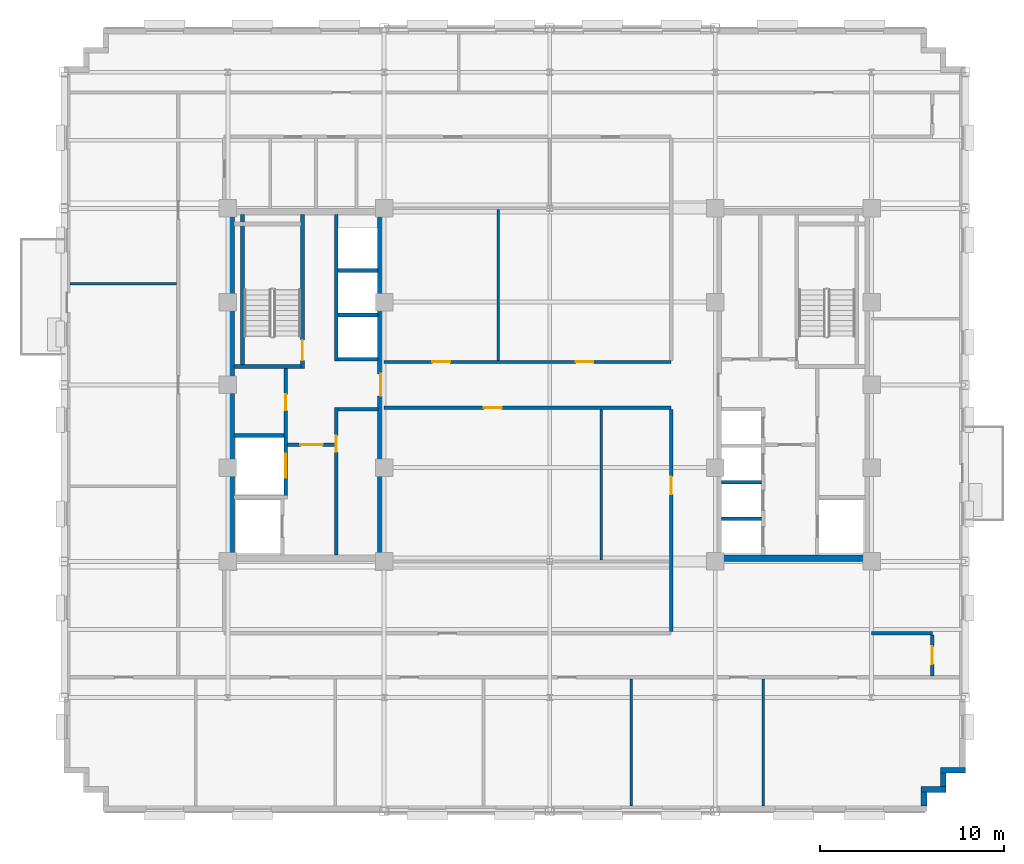
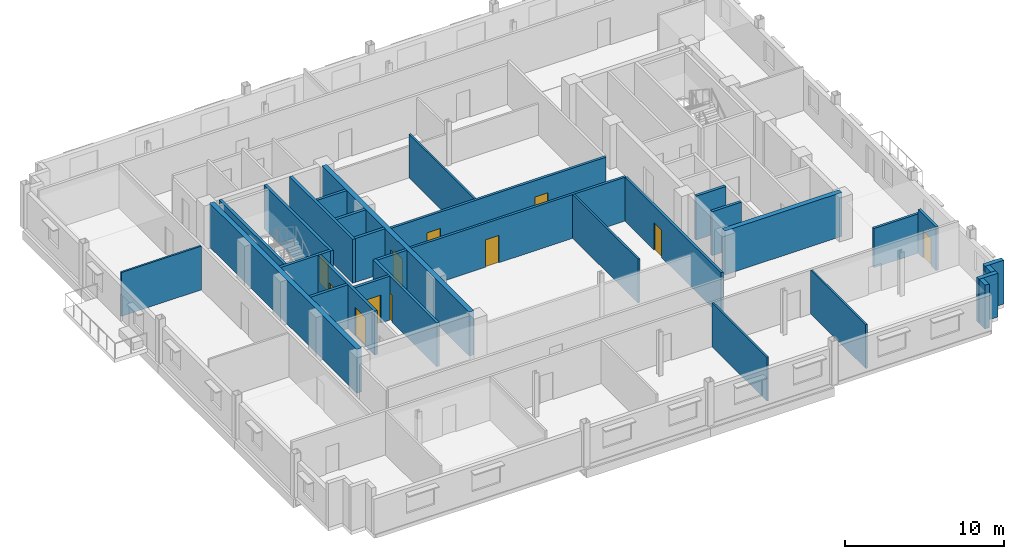
# One storey, part 8 of 15: 31 walls, 11 doors, 11 openings.
"""IFC4 building model written with IfcOpenShell, lengths in metres."""

from ifc_helpers import new_model, si_unit, direction, frame, frame_2d, origin, place, context, subcontext, project, spatial, rectangle, extrude, source, transform, mapped, material, layer, layer_set, type_object, type_shapes, element, fill, save


model = new_model("IFC4")

# Units and contexts
model_context = context("Model", 3, precision=1e-05, world=origin(), true_north=direction((0.0, 1.0)))
body_context = subcontext(model_context, "Body", "Model", "MODEL_VIEW")
ifc_project = project(units=[si_unit("LENGTHUNIT", "METRE"), si_unit("AREAUNIT", "SQUARE_METRE"), si_unit("VOLUMEUNIT", "CUBIC_METRE"), si_unit("PLANEANGLEUNIT", "RADIAN"), si_unit("MASSUNIT", "GRAM", prefix="KILO")], contexts=[model_context])

# Site, building, storey
site_placement = place(None, origin())
site = spatial("IfcSite", under=ifc_project, at=site_placement, CompositionType="ELEMENT")
building_placement = place(site_placement, origin())
building = spatial("IfcBuilding", under=site, at=building_placement, Name="Nuvemarco Arch Tower", CompositionType="ELEMENT")
storey_placement = place(building_placement, frame((0.0, 0.0, 194.550048828125)))
storey = spatial("IfcBuildingStorey", under=building, at=storey_placement, Name="L51", CompositionType="ELEMENT", Elevation=194.550048828125)

# Walls
ifc_material_1 = material(Name="Precast concrete C45/55", Category="concrete")
ifc_layer_1 = layer(ifc_material_1, 0.31005859375, Name="EW-UPP-310")
ifc_layer_set_1 = layer_set([ifc_layer_1], Name="Precast concrete C45/55")
wall_type_1 = type_object("IfcWallType", Name="EW-UPP-310", PredefinedType="STANDARD", material=ifc_layer_set_1)
wall_1_placement = place(storey_placement, frame((20.344970703125, -22.89404296875, 0.0), z_axis=(0.0, 0.0, 1.0), x_axis=(0.0, 1.0, 0.0)))
element("IfcWall", 1, at=wall_1_placement, inside=storey, type_object=wall_type_1, Name="L51 exterior precast facade wall 2", PredefinedType="STANDARD", context=body_context, shape_type="SweptSolid", body=[
    extrude(rectangle(XDim=0.748046875, YDim=0.31005859375, at=frame_2d((0.3740234375, 0.0))), origin(), (0.0, 0.0, 1.0), 3.35986328125),
])
wall_2_placement = place(storey_placement, frame((20.18994140625, -21.9951171875, 0.0), z_axis=(0.0, 0.0, 1.0), x_axis=(1.0, 0.0, 0.0)))
element("IfcWall", 2, at=wall_2_placement, inside=storey, type_object=wall_type_1, Name="L51 exterior precast facade wall 3", PredefinedType="STANDARD", context=body_context, shape_type="SweptSolid", body=[
    extrude(rectangle(XDim=1.360107421875, YDim=0.31005859375, at=frame_2d((0.68017578125, 0.0))), origin(), (0.0, 0.0, 1.0), 3.35986328125),
])
wall_3_placement = place(storey_placement, frame((21.39501953125, -21.843994140625, 0.0), z_axis=(0.0, 0.0, 1.0), x_axis=(0.0, 1.0, 0.0)))
element("IfcWall", 3, at=wall_3_placement, inside=storey, type_object=wall_type_1, Name="L51 exterior precast facade wall 4", PredefinedType="STANDARD", context=body_context, shape_type="SweptSolid", body=[
    extrude(rectangle(XDim=0.748046875, YDim=0.31005859375, at=frame_2d((0.3740234375, 0.0))), origin(), (0.0, 0.0, 1.0), 3.35986328125),
])
wall_4_placement = place(storey_placement, frame((21.239990234375, -20.945068359375, 0.0), z_axis=(0.0, 0.0, 1.0), x_axis=(1.0, 0.0, 0.0)))
element("IfcWall", 4, at=wall_4_placement, inside=storey, type_object=wall_type_1, Name="L51 exterior precast facade wall 5", PredefinedType="STANDARD", context=body_context, shape_type="SweptSolid", body=[
    extrude(rectangle(XDim=1.360107421875, YDim=0.31005859375, at=frame_2d((0.68017578125, 0.0))), origin(), (0.0, 0.0, 1.0), 3.35986328125),
])
ifc_material_2 = material(Name="Concrete C50/60", Category="concrete")
ifc_layer_2 = layer(ifc_material_2, 0.35009765625, Name="WL-CORE-350")
ifc_layer_set_2 = layer_set([ifc_layer_2], Name="Concrete C50/60")
wall_type_2 = type_object("IfcWallType", Name="WL-CORE-350", PredefinedType="SHEAR", material=ifc_layer_set_2)
wall_5_placement = place(storey_placement, frame((-17.324951171875, -9.2548828125, 0.0), z_axis=(0.0, 0.0, 1.0), x_axis=(0.0, 1.0, 0.0)))
element("IfcWall", 5, at=wall_5_placement, inside=storey, type_object=wall_type_2, Name="L51 W-core shear wall W", PredefinedType="SHEAR", context=body_context, shape_type="SweptSolid", body=[
    extrude(rectangle(XDim=18.509765625, YDim=0.35009765625, at=frame_2d((9.2548828125, 0.0))), origin(), (0.0, 0.0, 1.0), 3.369873046875),
])

# Wall, opening, door
wall_6_placement = place(storey_placement, frame((-9.175048828125, -9.2548828125, 0.0), z_axis=(0.0, 0.0, 1.0), x_axis=(0.0, 1.0, 0.0)))
wall_6 = element("IfcWall", 6, at=wall_6_placement, inside=storey, type_object=wall_type_2, Name="L51 W-core shear wall E", PredefinedType="SHEAR", context=body_context, shape_type="SweptSolid", body=[
    extrude(rectangle(XDim=18.509765625, YDim=0.35009765625, at=frame_2d((9.2548828125, 0.0))), origin(), (0.0, 0.0, 1.0), 3.369873046875),
])
opening_1_placement = place(wall_6_placement, frame((8.655029296875, 0.0, 0.0)))
opening_1 = element("IfcOpeningElement", 7, at=opening_1_placement, cuts=wall_6, Name="Opening FD-2", PredefinedType="OPENING", context=body_context, shape_type="SweptSolid", body=[
    extrude(rectangle(XDim=1.199951171875, YDim=2.14990234375, at=frame_2d((0.60009765625, 1.074951171875))), frame((0.0, 0.18505859375, 0.0), z_axis=(0.0, -1.0, 0.0), x_axis=(1.0, 0.0, 0.0)), (0.0, 0.0, 1.0), 0.3701171875),
])
ifc_material_3 = material(Name="Anodised steel fire door", Category="steel")
door_type_1 = type_object("IfcDoorType", Name="DR-FFLOB-FD", OperationType="NOTDEFINED", PredefinedType="DOOR", material=ifc_material_3)
shared_shape_1 = source(origin(), body_context, "Body", "SweptSolid", [
    extrude(rectangle(XDim=1.199951171875, YDim=2.14990234375, at=frame_2d((0.60009765625, 1.074951171875))), frame((0.0, 0.02490234375, 0.0), z_axis=(0.0, -1.0, 0.0), x_axis=(1.0, 0.0, 0.0)), (0.0, 0.0, 1.0), 0.050048828125),
])
type_shapes(door_type_1, [shared_shape_1])
door_1_placement = place(opening_1_placement, origin())
door_1 = element("IfcDoor", 8, at=door_1_placement, inside=storey, type_object=door_type_1, Name="L51 door FD-L51-WCORE-E", OperationType="SINGLE_SWING_LEFT", OverallHeight=2.14990234375, OverallWidth=1.199951171875, PredefinedType="DOOR", context=body_context, shape_type="MappedRepresentation", body=[
    mapped(shared_shape_1, transform((0.0, 0.0, 0.0), scale=1.0)),
])
fill(opening_1, door_1)

# Walls
wall_7_placement = place(storey_placement, frame((9.0, -9.425048828125, 0.0), z_axis=(0.0, 0.0, 1.0), x_axis=(1.0, 0.0, 0.0)))
element("IfcWall", 9, at=wall_7_placement, inside=storey, type_object=wall_type_2, Name="L51 E-core shear wall S", PredefinedType="SHEAR", context=body_context, shape_type="SweptSolid", body=[
    extrude(rectangle(XDim=8.5, YDim=0.35009765625, at=frame_2d((4.25, 0.0))), origin(), (0.0, 0.0, 1.0), 3.369873046875),
])
ifc_material_4 = material(Name="Fire-rated gypsum drywall partition")
ifc_layer_3 = layer(ifc_material_4, 0.179931640625, Name="WL-CORR-180")
ifc_layer_set_3 = layer_set([ifc_layer_3], Name="Fire-rated gypsum drywall partition")
wall_type_3 = type_object("IfcWallType", Name="WL-CORR-180", PredefinedType="PARTITIONING", material=ifc_layer_set_3)
wall_8_placement = place(storey_placement, frame((17.5, -13.5, 0.0), z_axis=(0.0, 0.0, 1.0), x_axis=(1.0, 0.0, 0.0)))
element("IfcWall", 10, at=wall_8_placement, inside=storey, type_object=wall_type_3, Name="L51 interior wall IW-L51-003", PredefinedType="PARTITIONING", context=body_context, shape_type="SweptSolid", body=[
    extrude(rectangle(XDim=3.300048828125, YDim=0.179931640625, at=frame_2d((1.64990234375, 0.0))), origin(), (0.0, 0.0, 1.0), 3.008056640625),
])

# Wall, opening, door
wall_9_placement = place(storey_placement, frame((-9.0, -1.25, 0.0), z_axis=(0.0, 0.0, 1.0), x_axis=(1.0, 0.0, 0.0)))
wall_9 = element("IfcWall", 11, at=wall_9_placement, inside=storey, type_object=wall_type_3, Name="L51 interior wall IW-L51-007", PredefinedType="PARTITIONING", context=body_context, shape_type="SweptSolid", body=[
    extrude(rectangle(XDim=15.60009765625, YDim=0.179931640625, at=frame_2d((7.800048828125, 0.0))), origin(), (0.0, 0.0, 1.0), 3.35986328125),
])
opening_2_placement = place(wall_9_placement, frame((5.419921875, 0.0, 0.0)))
opening_2 = element("IfcOpeningElement", 12, at=opening_2_placement, cuts=wall_9, Name="Opening FD-5", PredefinedType="OPENING", context=body_context, shape_type="SweptSolid", body=[
    extrude(rectangle(XDim=0.9599609375, YDim=2.10009765625, at=frame_2d((0.47998046875, 1.050048828125))), frame((0.0, 0.099853515625, 0.0), z_axis=(0.0, -1.0, 0.0), x_axis=(1.0, 0.0, 0.0)), (0.0, 0.0, 1.0), 0.199951171875),
])
ifc_material_5 = material(Name="Timber fire door", Category="wood")
door_type_2 = type_object("IfcDoorType", Name="DR-CORR-FD", OperationType="NOTDEFINED", PredefinedType="DOOR", material=ifc_material_5)
shared_shape_2 = source(origin(), body_context, "Body", "SweptSolid", [
    extrude(rectangle(XDim=0.9599609375, YDim=2.10009765625, at=frame_2d((0.47998046875, 1.050048828125))), frame((0.0, 0.02490234375, 0.0), z_axis=(0.0, -1.0, 0.0), x_axis=(1.0, 0.0, 0.0)), (0.0, 0.0, 1.0), 0.050048828125),
])
type_shapes(door_type_2, [shared_shape_2])
door_2_placement = place(opening_2_placement, origin())
door_2 = element("IfcDoor", 13, at=door_2_placement, inside=storey, type_object=door_type_2, Name="L51 door DR-L51-C_SW", OperationType="SINGLE_SWING_RIGHT", OverallHeight=2.10009765625, OverallWidth=0.9599609375, PredefinedType="DOOR", context=body_context, shape_type="MappedRepresentation", body=[
    mapped(shared_shape_2, transform((0.0, 0.0, 0.0), scale=1.0)),
])
fill(opening_2, door_2)

# Wall, openings, doors
wall_10_placement = place(storey_placement, frame((-9.0, 1.25, 0.0), z_axis=(0.0, 0.0, 1.0), x_axis=(1.0, 0.0, 0.0)))
wall_10 = element("IfcWall", 14, at=wall_10_placement, inside=storey, type_object=wall_type_3, Name="L51 interior wall IW-L51-008", PredefinedType="PARTITIONING", context=body_context, shape_type="SweptSolid", body=[
    extrude(rectangle(XDim=15.60009765625, YDim=0.179931640625, at=frame_2d((7.800048828125, 0.0))), origin(), (0.0, 0.0, 1.0), 3.35986328125),
])
opening_3_placement = place(wall_10_placement, frame((10.419921875, 0.0, 0.0)))
opening_3 = element("IfcOpeningElement", 15, at=opening_3_placement, cuts=wall_10, Name="Opening FD-5", PredefinedType="OPENING", context=body_context, shape_type="SweptSolid", body=[
    extrude(rectangle(XDim=0.9599609375, YDim=2.10009765625, at=frame_2d((0.47998046875, 1.050048828125))), frame((0.0, 0.099853515625, 0.0), z_axis=(0.0, -1.0, 0.0), x_axis=(1.0, 0.0, 0.0)), (0.0, 0.0, 1.0), 0.199951171875),
])
opening_4_placement = place(wall_10_placement, frame((2.6201171875, 0.0, 0.0)))
opening_4 = element("IfcOpeningElement", 16, at=opening_4_placement, cuts=wall_10, Name="Opening FD-5", PredefinedType="OPENING", context=body_context, shape_type="SweptSolid", body=[
    extrude(rectangle(XDim=0.9599609375, YDim=2.10009765625, at=frame_2d((0.47998046875, 1.050048828125))), frame((0.0, 0.099853515625, 0.0), z_axis=(0.0, -1.0, 0.0), x_axis=(1.0, 0.0, 0.0)), (0.0, 0.0, 1.0), 0.199951171875),
])
door_3_placement = place(opening_3_placement, origin())
door_3 = element("IfcDoor", 17, at=door_3_placement, inside=storey, type_object=door_type_2, Name="L51 door DR-L51-C_NE", OperationType="SINGLE_SWING_LEFT", OverallHeight=2.10009765625, OverallWidth=0.9599609375, PredefinedType="DOOR", context=body_context, shape_type="MappedRepresentation", body=[
    mapped(shared_shape_2, transform((0.0, 0.0, 0.0), scale=1.0)),
])
fill(opening_3, door_3)
door_4_placement = place(opening_4_placement, origin())
door_4 = element("IfcDoor", 18, at=door_4_placement, inside=storey, type_object=door_type_2, Name="L51 door DR-L51-C_NW", OperationType="SINGLE_SWING_LEFT", OverallHeight=2.10009765625, OverallWidth=0.9599609375, PredefinedType="DOOR", context=body_context, shape_type="MappedRepresentation", body=[
    mapped(shared_shape_2, transform((0.0, 0.0, 0.0), scale=1.0)),
])
fill(opening_4, door_4)

# Wall, opening, door
wall_11_placement = place(storey_placement, frame((6.60009765625, -13.4140625, 0.0), z_axis=(0.0, 0.0, 1.0), x_axis=(0.0, 1.0, 0.0)))
wall_11 = element("IfcWall", 19, at=wall_11_placement, inside=storey, type_object=wall_type_3, Name="L51 interior wall IW-L51-030", PredefinedType="PARTITIONING", context=body_context, shape_type="SweptSolid", body=[
    extrude(rectangle(XDim=12.078125, YDim=0.179931640625, at=frame_2d((6.0390625, 0.0))), origin(), (0.0, 0.0, 1.0), 3.35986328125),
])
opening_5_placement = place(wall_11_placement, frame((7.466064453125, 0.0, 0.0)))
opening_5 = element("IfcOpeningElement", 20, at=opening_5_placement, cuts=wall_11, Name="Opening FD-5", PredefinedType="OPENING", context=body_context, shape_type="SweptSolid", body=[
    extrude(rectangle(XDim=0.9599609375, YDim=2.10009765625, at=frame_2d((0.47998046875, 1.050048828125))), frame((0.0, 0.099853515625, 0.0), z_axis=(0.0, -1.0, 0.0), x_axis=(1.0, 0.0, 0.0)), (0.0, 0.0, 1.0), 0.199951171875),
])
door_5_placement = place(opening_5_placement, origin())
door_5 = element("IfcDoor", 21, at=door_5_placement, inside=storey, type_object=door_type_2, Name="L51 door DR-L51-C_SE", OperationType="SINGLE_SWING_LEFT", OverallHeight=2.10009765625, OverallWidth=0.9599609375, PredefinedType="DOOR", context=body_context, shape_type="MappedRepresentation", body=[
    mapped(shared_shape_2, transform((0.0, 0.0, 0.0), scale=1.0)),
])
fill(opening_5, door_5)

wall_12_placement = place(storey_placement, frame((20.800048828125, -15.81396484375, 0.0), z_axis=(0.0, 0.0, 1.0), x_axis=(0.0, 1.0, 0.0)))
wall_12 = element("IfcWall", 22, at=wall_12_placement, inside=storey, type_object=wall_type_3, Name="L51 interior wall IW-L51-033", PredefinedType="PARTITIONING", context=body_context, shape_type="SweptSolid", body=[
    extrude(rectangle(XDim=2.22802734375, YDim=0.179931640625, at=frame_2d((1.114013671875, 0.0))), origin(), (0.0, 0.0, 1.0), 3.35986328125),
])
opening_6_placement = place(wall_12_placement, frame((0.634033203125, 0.0, 0.0)))
opening_6 = element("IfcOpeningElement", 23, at=opening_6_placement, cuts=wall_12, Name="Opening FD-5", PredefinedType="OPENING", context=body_context, shape_type="SweptSolid", body=[
    extrude(rectangle(XDim=0.9599609375, YDim=2.10009765625, at=frame_2d((0.47998046875, 1.050048828125))), frame((0.0, 0.099853515625, 0.0), z_axis=(0.0, -1.0, 0.0), x_axis=(1.0, 0.0, 0.0)), (0.0, 0.0, 1.0), 0.199951171875),
])
door_6_placement = place(opening_6_placement, origin())
door_6 = element("IfcDoor", 24, at=door_6_placement, inside=storey, type_object=door_type_2, Name="L51 door DR-L51-E_1", OperationType="SINGLE_SWING_RIGHT", OverallHeight=2.10009765625, OverallWidth=0.9599609375, PredefinedType="DOOR", context=body_context, shape_type="MappedRepresentation", body=[
    mapped(shared_shape_2, transform((0.0, 0.0, 0.0), scale=1.0)),
])
fill(opening_6, door_6)

# Walls
ifc_material_6 = material(Name="Glazed acoustic office partition")
ifc_layer_4 = layer(ifc_material_6, 0.1298828125, Name="WL-EXEC-130")
ifc_layer_set_4 = layer_set([ifc_layer_4], Name="Glazed acoustic office partition")
wall_type_4 = type_object("IfcWallType", Name="WL-EXEC-130", PredefinedType="PARTITIONING", material=ifc_layer_set_4)
wall_13_placement = place(storey_placement, frame((-26.090087890625, 5.5, 0.0), z_axis=(0.0, 0.0, 1.0), x_axis=(1.0, 0.0, 0.0)))
element("IfcWall", 25, at=wall_13_placement, inside=storey, type_object=wall_type_4, Name="L51 interior wall IW-L51-010", PredefinedType="PARTITIONING", context=body_context, shape_type="SweptSolid", body=[
    extrude(rectangle(XDim=5.80419921875, YDim=0.1298828125, at=frame_2d((2.902099609375, 0.0))), origin(), (0.0, 0.0, 1.0), 3.35986328125),
])
wall_14_placement = place(storey_placement, frame((-2.800048828125, 1.3359375, 0.0), z_axis=(0.0, 0.0, 1.0), x_axis=(0.0, 1.0, 0.0)))
element("IfcWall", 26, at=wall_14_placement, inside=storey, type_object=wall_type_4, Name="L51 interior wall IW-L51-026", PredefinedType="PARTITIONING", context=body_context, shape_type="SweptSolid", body=[
    extrude(rectangle(XDim=8.197998046875, YDim=0.1298828125, at=frame_2d((4.09912109375, 0.0))), origin(), (0.0, 0.0, 1.0), 3.35986328125),
])
for number, where, z_axis, x_axis, name in (
    (27, (4.43994140625, -22.889892578125, 0.0), (0.0, 0.0, 1.0), (0.0, 1.0, 0.0), "L51 interior wall IW-L51-029"),
    (28, (11.60009765625, -22.889892578125, 0.0), (0.0, 0.0, 1.0), (0.0, 1.0, 0.0), "L51 interior wall IW-L51-032"),
):
    element("IfcWall", number, at=place(storey_placement, frame(where, z_axis=z_axis, x_axis=x_axis)), inside=storey, type_object=wall_type_4, Name=name, PredefinedType="PARTITIONING", context=body_context, shape_type="SweptSolid", body=[
        extrude(rectangle(XDim=6.90380859375, YDim=0.1298828125, at=frame_2d((3.451904296875, 0.0))), origin(), (0.0, 0.0, 1.0), 3.35986328125),
    ])
ifc_material_7 = material(Name="Gypsum plasterboard partition")
ifc_layer_5 = layer(ifc_material_7, 0.139892578125, Name="WL-ROOM-140")
ifc_layer_set_5 = layer_set([ifc_layer_5], Name="Gypsum plasterboard partition")
wall_type_5 = type_object("IfcWallType", Name="WL-ROOM-140", PredefinedType="PARTITIONING", material=ifc_layer_set_5)
wall_15_placement = place(storey_placement, frame((2.800048828125, -9.52392578125, 0.0), z_axis=(0.0, 0.0, 1.0), x_axis=(0.0, 1.0, 0.0)))
element("IfcWall", 29, at=wall_15_placement, inside=storey, type_object=wall_type_5, Name="L51 interior wall IW-L51-028", PredefinedType="PARTITIONING", context=body_context, shape_type="SweptSolid", body=[
    extrude(rectangle(XDim=8.18798828125, YDim=0.139892578125, at=frame_2d((4.093994140625, 0.0))), origin(), (0.0, 0.0, 1.0), 3.35986328125),
])

# Wall, opening, door
ifc_layer_6 = layer(ifc_material_2, 0.199951171875, Name="WL-SHAFT-220")
ifc_layer_set_6 = layer_set([ifc_layer_6], Name="Concrete C50/60")
wall_type_6 = type_object("IfcWallType", Name="WL-SHAFT-220", PredefinedType="SHEAR", material=ifc_layer_set_6)
wall_16_placement = place(storey_placement, frame((-13.43994140625, 0.89990234375, 0.0), z_axis=(0.0, 0.0, 1.0), x_axis=(0.0, 1.0, 0.0)))
wall_16 = element("IfcWall", 30, at=wall_16_placement, inside=storey, type_object=wall_type_6, Name="L51 structural shaft wall SW-L51-W-ST1E", PredefinedType="SHEAR", context=body_context, shape_type="SweptSolid", body=[
    extrude(rectangle(XDim=8.35498046875, YDim=0.199951171875, at=frame_2d((4.177490234375, 0.0))), origin(), (0.0, 0.0, 1.0), 3.369873046875),
])
opening_7_placement = place(wall_16_placement, frame((1.530029296875, 0.0, 0.0), z_axis=(0.0, 0.0, 1.0), x_axis=(-1.0, 0.0, 0.0)))
opening_7 = element("IfcOpeningElement", 31, at=opening_7_placement, cuts=wall_16, Name="Opening FD-1", PredefinedType="OPENING", context=body_context, shape_type="SweptSolid", body=[
    extrude(rectangle(XDim=1.10009765625, YDim=2.14990234375, at=frame_2d((0.550048828125, 1.074951171875))), frame((0.0, 0.10986328125, 0.0), z_axis=(0.0, -1.0, 0.0), x_axis=(1.0, 0.0, 0.0)), (0.0, 0.0, 1.0), 0.219970703125),
])
door_type_3 = type_object("IfcDoorType", Name="DR-STAIR-FD", OperationType="NOTDEFINED", PredefinedType="DOOR", material=ifc_material_3)
shared_shape_3 = source(origin(), body_context, "Body", "SweptSolid", [
    extrude(rectangle(XDim=1.10009765625, YDim=2.14990234375, at=frame_2d((0.550048828125, 1.074951171875))), frame((0.0, 0.02490234375, 0.0), z_axis=(0.0, -1.0, 0.0), x_axis=(1.0, 0.0, 0.0)), (0.0, 0.0, 1.0), 0.050048828125),
])
type_shapes(door_type_3, [shared_shape_3])
door_7_placement = place(opening_7_placement, origin())
door_7 = element("IfcDoor", 32, at=door_7_placement, inside=storey, type_object=door_type_3, Name="L51 door FD-L51-ST1", OperationType="SINGLE_SWING_RIGHT", OverallHeight=2.14990234375, OverallWidth=1.10009765625, PredefinedType="DOOR", context=body_context, shape_type="MappedRepresentation", body=[
    mapped(shared_shape_3, transform((0.0, 0.0, 0.0), scale=1.0)),
])
fill(opening_7, door_7)

# Walls
wall_17_placement = place(storey_placement, frame((-17.155029296875, 1.0, 0.0), z_axis=(0.0, 0.0, 1.0), x_axis=(1.0, 0.0, 0.0)))
element("IfcWall", 33, at=wall_17_placement, inside=storey, type_object=wall_type_6, Name="L51 structural shaft wall SW-L51-W-ST1S", PredefinedType="SHEAR", context=body_context, shape_type="SweptSolid", body=[
    extrude(rectangle(XDim=3.6201171875, YDim=0.199951171875, at=frame_2d((1.81005859375, 0.0))), origin(), (0.0, 0.0, 1.0), 3.369873046875),
])
wall_18_placement = place(storey_placement, frame((-16.699951171875, 1.094970703125, 0.0), z_axis=(0.0, 0.0, 1.0), x_axis=(0.0, 1.0, 0.0)))
element("IfcWall", 34, at=wall_18_placement, inside=storey, type_object=wall_type_6, Name="L51 structural shaft wall SW-L51-W-ST1W", PredefinedType="SHEAR", context=body_context, shape_type="SweptSolid", body=[
    extrude(rectangle(XDim=8.159912109375, YDim=0.199951171875, at=frame_2d((4.080078125, 0.0))), origin(), (0.0, 0.0, 1.0), 3.369873046875),
])

# Wall, openings, doors
wall_19_placement = place(storey_placement, frame((-14.35009765625, -6.199951171875, 0.0), z_axis=(0.0, 0.0, 1.0), x_axis=(0.0, 1.0, 0.0)))
wall_19 = element("IfcWall", 35, at=wall_19_placement, inside=storey, type_object=wall_type_6, Name="L51 structural shaft wall SW-L51-W-SVE", PredefinedType="SHEAR", context=body_context, shape_type="SweptSolid", body=[
    extrude(rectangle(XDim=7.10498046875, YDim=0.199951171875, at=frame_2d((3.552490234375, 0.0))), origin(), (0.0, 0.0, 1.0), 3.369873046875),
])
opening_8_placement = place(wall_19_placement, frame((5.68994140625, 0.0, 0.0), z_axis=(0.0, 0.0, 1.0), x_axis=(-1.0, 0.0, 0.0)))
opening_8 = element("IfcOpeningElement", 36, at=opening_8_placement, cuts=wall_19, Name="Opening FD-4", PredefinedType="OPENING", context=body_context, shape_type="SweptSolid", body=[
    extrude(rectangle(XDim=0.8798828125, YDim=2.10009765625, at=frame_2d((0.43994140625, 1.050048828125))), frame((0.0, 0.10986328125, 0.0), z_axis=(0.0, -1.0, 0.0), x_axis=(1.0, 0.0, 0.0)), (0.0, 0.0, 1.0), 0.219970703125),
])
opening_9_placement = place(wall_19_placement, frame((1.14990234375, 0.0, 0.0)))
opening_9 = element("IfcOpeningElement", 37, at=opening_9_placement, cuts=wall_19, Name="Opening LD-3", PredefinedType="OPENING", context=body_context, shape_type="SweptSolid", body=[
    extrude(rectangle(XDim=1.300048828125, YDim=2.199951171875, at=frame_2d((0.64990234375, 1.10009765625))), frame((0.0, 0.10986328125, 0.0), z_axis=(0.0, -1.0, 0.0), x_axis=(1.0, 0.0, 0.0)), (0.0, 0.0, 1.0), 0.219970703125),
])
door_type_4 = type_object("IfcDoorType", Name="DR-RISER-FD", OperationType="NOTDEFINED", PredefinedType="DOOR", material=ifc_material_3)
shared_shape_4 = source(origin(), body_context, "Body", "SweptSolid", [
    extrude(rectangle(XDim=0.8798828125, YDim=2.10009765625, at=frame_2d((0.43994140625, 1.050048828125))), frame((0.0, 0.02490234375, 0.0), z_axis=(0.0, -1.0, 0.0), x_axis=(1.0, 0.0, 0.0)), (0.0, 0.0, 1.0), 0.050048828125),
])
type_shapes(door_type_4, [shared_shape_4])
door_8_placement = place(opening_8_placement, origin())
door_8 = element("IfcDoor", 38, at=door_8_placement, inside=storey, type_object=door_type_4, Name="L51 door FD-L51-WRIS", OperationType="SINGLE_SWING_RIGHT", OverallHeight=2.10009765625, OverallWidth=0.8798828125, PredefinedType="DOOR", context=body_context, shape_type="MappedRepresentation", body=[
    mapped(shared_shape_4, transform((0.0, 0.0, 0.0), scale=1.0)),
])
fill(opening_8, door_8)
ifc_material_8 = material(Name="Stainless steel lift door", Category="steel")
door_type_5 = type_object("IfcDoorType", Name="DR-LIFT-SERV", OperationType="DOUBLE_DOOR_SLIDING", PredefinedType="DOOR", material=ifc_material_8)
shared_shape_5 = source(origin(), body_context, "Body", "SweptSolid", [
    extrude(rectangle(XDim=1.300048828125, YDim=2.199951171875, at=frame_2d((0.64990234375, 1.10009765625))), frame((0.0, 0.02490234375, 0.0), z_axis=(0.0, -1.0, 0.0), x_axis=(1.0, 0.0, 0.0)), (0.0, 0.0, 1.0), 0.050048828125),
])
type_shapes(door_type_5, [shared_shape_5])
door_9_placement = place(opening_9_placement, origin())
door_9 = element("IfcDoor", 39, at=door_9_placement, inside=storey, type_object=door_type_5, Name="L51 Lift landing sliding door SVL-1", OperationType="DOUBLE_DOOR_SLIDING", OverallHeight=2.199951171875, OverallWidth=1.300048828125, PredefinedType="DOOR", context=body_context, shape_type="MappedRepresentation", body=[
    mapped(shared_shape_5, transform((0.0, 0.0, 0.0), scale=1.0)),
])
fill(opening_9, door_9)

# Wall
wall_20_placement = place(storey_placement, frame((-17.155029296875, -2.75, 0.0), z_axis=(0.0, 0.0, 1.0), x_axis=(1.0, 0.0, 0.0)))
element("IfcWall", 40, at=wall_20_placement, inside=storey, type_object=wall_type_6, Name="L51 structural shaft wall SW-L51-W-SH2", PredefinedType="SHEAR", context=body_context, shape_type="SweptSolid", body=[
    extrude(rectangle(XDim=2.7099609375, YDim=0.199951171875, at=frame_2d((1.35498046875, 0.0))), origin(), (0.0, 0.0, 1.0), 3.369873046875),
])

# Wall, opening, door
wall_21_placement = place(storey_placement, frame((-11.60009765625, -9.2548828125, 0.0), z_axis=(0.0, 0.0, 1.0), x_axis=(0.0, 1.0, 0.0)))
wall_21 = element("IfcWall", 41, at=wall_21_placement, inside=storey, type_object=wall_type_6, Name="L51 structural shaft wall SW-L51-W-PLW", PredefinedType="SHEAR", context=body_context, shape_type="SweptSolid", body=[
    extrude(rectangle(XDim=8.02490234375, YDim=0.199951171875, at=frame_2d((4.012451171875, 0.0))), origin(), (0.0, 0.0, 1.0), 3.369873046875),
])
opening_10_placement = place(wall_21_placement, frame((5.614990234375, 0.0, 0.0)))
opening_10 = element("IfcOpeningElement", 42, at=opening_10_placement, cuts=wall_21, Name="Opening FD-4", PredefinedType="OPENING", context=body_context, shape_type="SweptSolid", body=[
    extrude(rectangle(XDim=0.8798828125, YDim=2.10009765625, at=frame_2d((0.43994140625, 1.050048828125))), frame((0.0, 0.10986328125, 0.0), z_axis=(0.0, -1.0, 0.0), x_axis=(1.0, 0.0, 0.0)), (0.0, 0.0, 1.0), 0.219970703125),
])
door_10_placement = place(opening_10_placement, origin())
door_10 = element("IfcDoor", 43, at=door_10_placement, inside=storey, type_object=door_type_4, Name="L51 door FD-L51-WREC1", OperationType="SINGLE_SWING_RIGHT", OverallHeight=2.10009765625, OverallWidth=0.8798828125, PredefinedType="DOOR", context=body_context, shape_type="MappedRepresentation", body=[
    mapped(shared_shape_4, transform((0.0, 0.0, 0.0), scale=1.0)),
])
fill(opening_10, door_10)

wall_22_placement = place(storey_placement, frame((-14.2548828125, -3.25, 0.0), z_axis=(0.0, 0.0, 1.0), x_axis=(1.0, 0.0, 0.0)))
wall_22 = element("IfcWall", 44, at=wall_22_placement, inside=storey, type_object=wall_type_6, Name="L51 structural shaft wall SW-L51-W-FFN", PredefinedType="SHEAR", context=body_context, shape_type="SweptSolid", body=[
    extrude(rectangle(XDim=2.559814453125, YDim=0.199951171875, at=frame_2d((1.27978515625, 0.0))), origin(), (0.0, 0.0, 1.0), 3.369873046875),
])
opening_11_placement = place(wall_22_placement, frame((0.705078125, 0.0, 0.0)))
opening_11 = element("IfcOpeningElement", 45, at=opening_11_placement, cuts=wall_22, Name="Opening FD-2", PredefinedType="OPENING", context=body_context, shape_type="SweptSolid", body=[
    extrude(rectangle(XDim=1.199951171875, YDim=2.14990234375, at=frame_2d((0.60009765625, 1.074951171875))), frame((0.0, 0.10986328125, 0.0), z_axis=(0.0, -1.0, 0.0), x_axis=(1.0, 0.0, 0.0)), (0.0, 0.0, 1.0), 0.219970703125),
])
door_11_placement = place(opening_11_placement, origin())
door_11 = element("IfcDoor", 46, at=door_11_placement, inside=storey, type_object=door_type_1, Name="L51 door FD-L51-WFF1", OperationType="SINGLE_SWING_RIGHT", OverallHeight=2.14990234375, OverallWidth=1.199951171875, PredefinedType="DOOR", context=body_context, shape_type="MappedRepresentation", body=[
    mapped(shared_shape_1, transform((0.0, 0.0, 0.0), scale=1.0)),
])
fill(opening_11, door_11)

# Walls
wall_23_placement = place(storey_placement, frame((-11.5048828125, -1.330078125, 0.0), z_axis=(0.0, 0.0, 1.0), x_axis=(1.0, 0.0, 0.0)))
element("IfcWall", 47, at=wall_23_placement, inside=storey, type_object=wall_type_6, Name="L51 structural shaft wall SW-L51-W-PLTOP", PredefinedType="SHEAR", context=body_context, shape_type="SweptSolid", body=[
    extrude(rectangle(XDim=2.159912109375, YDim=0.199951171875, at=frame_2d((1.080078125, 0.0))), origin(), (0.0, 0.0, 1.0), 3.369873046875),
])
wall_24_placement = place(storey_placement, frame((-11.60009765625, 1.300048828125, 0.0), z_axis=(0.0, 0.0, 1.0), x_axis=(0.0, 1.0, 0.0)))
element("IfcWall", 48, at=wall_24_placement, inside=storey, type_object=wall_type_6, Name="L51 structural shaft wall SW-L51-W-PHW", PredefinedType="SHEAR", context=body_context, shape_type="SweptSolid", body=[
    extrude(rectangle(XDim=7.954833984375, YDim=0.199951171875, at=frame_2d((3.9775390625, 0.0))), origin(), (0.0, 0.0, 1.0), 3.369873046875),
])
for number, where, z_axis, x_axis, name in (
    (49, (-11.5048828125, 1.39990234375, 0.0), (0.0, 0.0, 1.0), (1.0, 0.0, 0.0), "L51 structural shaft wall SW-L51-W-PHD1"),
    (50, (-11.5048828125, 3.800048828125, 0.0), (0.0, 0.0, 1.0), (1.0, 0.0, 0.0), "L51 structural shaft wall SW-L51-W-PHD2"),
    (51, (-11.5048828125, 6.219970703125, 0.0), (0.0, 0.0, 1.0), (1.0, 0.0, 0.0), "L51 structural shaft wall SW-L51-W-PHD3"),
    (52, (9.344970703125, -7.27001953125, 0.0), (0.0, 0.0, 1.0), (1.0, 0.0, 0.0), "L51 structural shaft wall SW-L51-E-PMD1"),
    (53, (9.344970703125, -5.2900390625, 0.0), (0.0, 0.0, 1.0), (1.0, 0.0, 0.0), "L51 structural shaft wall SW-L51-E-PMD2"),
):
    element("IfcWall", number, at=place(storey_placement, frame(where, z_axis=z_axis, x_axis=x_axis)), inside=storey, type_object=wall_type_6, Name=name, PredefinedType="SHEAR", context=body_context, shape_type="SweptSolid", body=[
        extrude(rectangle(XDim=2.159912109375, YDim=0.199951171875, at=frame_2d((1.080078125, 0.0))), origin(), (0.0, 0.0, 1.0), 3.369873046875),
    ])

save(model, "model.ifc")
